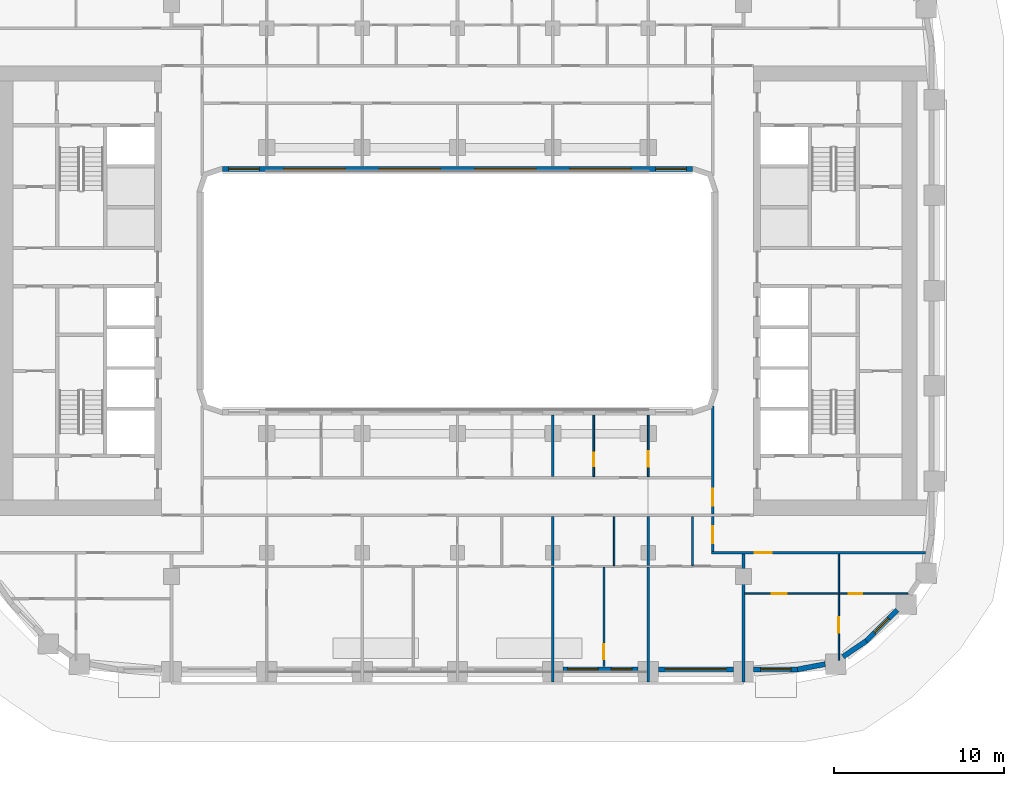
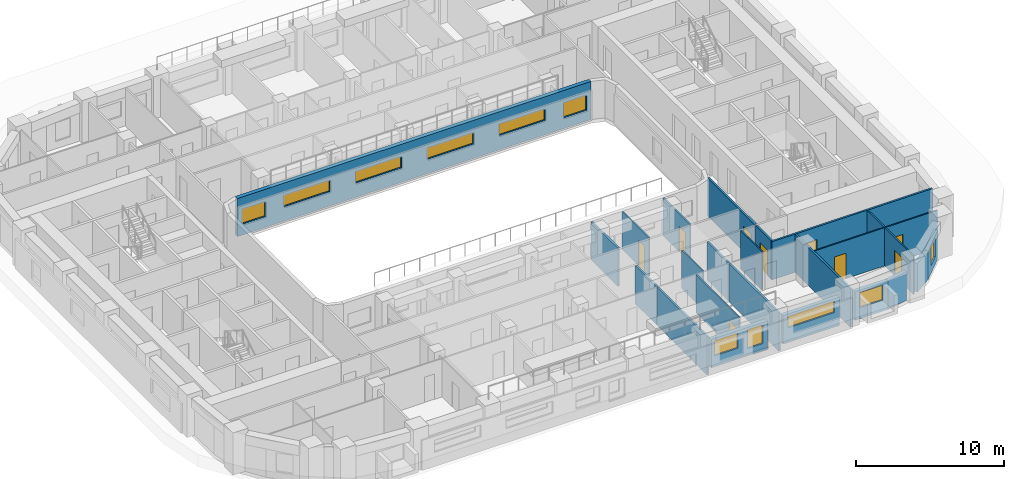
# One storey, part 6 of 18: 24 walls, 11 windows, 9 doors, 20 openings.
"""IFC4 building model written with IfcOpenShell, lengths in metres."""

from ifc_helpers import new_model, si_unit, direction, frame, frame_2d, origin, place, context, subcontext, project, spatial, rectangle, extrude, material, layer, layer_set, type_object, element, fill, save


model = new_model("IFC4")

# Units and contexts
model_context = context("Model", 3, precision=1e-05, world=origin(), true_north=direction((0.0, 1.0)))
body_context = subcontext(model_context, "Body", "Model", "MODEL_VIEW")
ifc_project = project(units=[si_unit("LENGTHUNIT", "METRE"), si_unit("AREAUNIT", "SQUARE_METRE"), si_unit("VOLUMEUNIT", "CUBIC_METRE"), si_unit("PLANEANGLEUNIT", "RADIAN"), si_unit("MASSUNIT", "GRAM", prefix="KILO")], contexts=[model_context])

# Site, building, storey
site_placement = place(None, origin())
site = spatial("IfcSite", under=ifc_project, at=site_placement, CompositionType="ELEMENT")
building_placement = place(site_placement, origin())
building = spatial("IfcBuilding", under=site, at=building_placement, Name="Kiln Ring Residences", CompositionType="ELEMENT")
storey_placement = place(building_placement, frame((0.0, 0.0, 121.800048828125)))
storey = spatial("IfcBuildingStorey", under=building, at=storey_placement, Name="L31", CompositionType="ELEMENT", Elevation=121.800048828125)

# Wall, openings, windows
ifc_material_1 = material(Name="Brick masonry, dark clay brick", Category="masonry")
ifc_layer_1 = layer(ifc_material_1, 0.300048828125)
ifc_layer_set_1 = layer_set([ifc_layer_1], Name="EW-300 BRICK WALL")
wall_type_1 = type_object("IfcWallType", Name="EW-300 BRICK WALL", PredefinedType="SOLIDWALL", material=ifc_layer_set_1)
wall_1_placement = place(storey_placement, frame((6.199951171875, -22.25, 0.0), z_axis=(0.0, 0.0, 1.0), x_axis=(1.0, 0.0, 0.0)))
wall_1 = element("IfcWall", 1, at=wall_1_placement, inside=storey, type_object=wall_type_1, Name="Facade wall L31 9", PredefinedType="SOLIDWALL", context=body_context, shape_type="SweptSolid", body=[
    extrude(rectangle(XDim=4.400146484375, YDim=0.300048828125, at=frame_2d((2.2001953125, 0.0))), origin(), (0.0, 0.0, 1.0), 2.349853515625),
])
opening_1_placement = place(wall_1_placement, frame((0.262451171875, 0.0, 0.89990234375)))
opening_1 = element("IfcOpeningElement", 2, at=opening_1_placement, cuts=wall_1, Name="Opening W2", PredefinedType="OPENING", context=body_context, shape_type="SweptSolid", body=[
    extrude(rectangle(XDim=1.800048828125, YDim=1.25, at=frame_2d((0.89990234375, 0.625))), frame((0.0, 0.159912109375, 0.0), z_axis=(0.0, -1.0, 0.0), x_axis=(1.0, 0.0, 0.0)), (0.0, 0.0, 1.0), 0.320068359375),
])
opening_2_placement = place(wall_1_placement, frame((2.83740234375, 0.0, 0.60009765625)))
opening_2 = element("IfcOpeningElement", 3, at=opening_2_placement, cuts=wall_1, Name="Opening W1", PredefinedType="OPENING", context=body_context, shape_type="SweptSolid", body=[
    extrude(rectangle(XDim=1.199951171875, YDim=1.550048828125, at=frame_2d((0.60009765625, 0.77490234375))), frame((0.0, 0.159912109375, 0.0), z_axis=(0.0, -1.0, 0.0), x_axis=(1.0, 0.0, 0.0)), (0.0, 0.0, 1.0), 0.320068359375),
])
ifc_material_2 = material(Name="Aluminium frame with double glazing", Category="aluminium")
window_type_1 = type_object("IfcWindowType", Name="WINDOW 1200 x 1550", PartitioningType="SINGLE_PANEL", PredefinedType="WINDOW", material=ifc_material_2)
window_1_placement = place(opening_2_placement, origin())
window_1 = element("IfcWindow", 4, at=window_1_placement, inside=storey, type_object=window_type_1, Name="Window L31 9", OverallHeight=1.550048828125, OverallWidth=1.199951171875, PartitioningType="SINGLE_PANEL", PredefinedType="WINDOW", context=body_context, shape_type="SweptSolid", body=[
    extrude(rectangle(XDim=1.199951171875, YDim=1.550048828125, at=frame_2d((0.60009765625, 0.77490234375))), frame((0.0, 0.030029296875, 0.0), z_axis=(0.0, -1.0, 0.0), x_axis=(1.0, 0.0, 0.0)), (0.0, 0.0, 1.0), 0.06005859375),
])
fill(opening_2, window_1)
ifc_material_3 = material(Name="Aluminium frame with double glazing", Category="aluminium")
window_type_2 = type_object("IfcWindowType", Name="WINDOW 1800 x 1250", PartitioningType="SINGLE_PANEL", PredefinedType="WINDOW", material=ifc_material_3)
window_2_placement = place(opening_1_placement, origin())
window_2 = element("IfcWindow", 5, at=window_2_placement, inside=storey, type_object=window_type_2, Name="Window L31 8", OverallHeight=1.25, OverallWidth=1.800048828125, PartitioningType="SINGLE_PANEL", PredefinedType="WINDOW", context=body_context, shape_type="SweptSolid", body=[
    extrude(rectangle(XDim=1.800048828125, YDim=1.25, at=frame_2d((0.89990234375, 0.625))), frame((0.0, 0.030029296875, 0.0), z_axis=(0.0, -1.0, 0.0), x_axis=(1.0, 0.0, 0.0)), (0.0, 0.0, 1.0), 0.06005859375),
])
fill(opening_1, window_2)

# Wall, opening, window
wall_2_placement = place(storey_placement, frame((11.800048828125, -22.25, 0.0), z_axis=(0.0, 0.0, 1.0), x_axis=(1.0, 0.0, 0.0)))
wall_2 = element("IfcWall", 6, at=wall_2_placement, inside=storey, type_object=wall_type_1, Name="Facade wall L31 10", PredefinedType="SOLIDWALL", context=body_context, shape_type="SweptSolid", body=[
    extrude(rectangle(XDim=4.39990234375, YDim=0.300048828125, at=frame_2d((2.199951171875, 0.0))), origin(), (0.0, 0.0, 1.0), 2.349853515625),
])
opening_3_placement = place(wall_2_placement, frame((0.39990234375, 0.0, 1.199951171875)))
opening_3 = element("IfcOpeningElement", 7, at=opening_3_placement, cuts=wall_2, Name="Opening W4", PredefinedType="OPENING", context=body_context, shape_type="SweptSolid", body=[
    extrude(rectangle(XDim=3.60009765625, YDim=0.949951171875, at=frame_2d((1.800048828125, 0.47509765625))), frame((0.0, 0.159912109375, 0.0), z_axis=(0.0, -1.0, 0.0), x_axis=(1.0, 0.0, 0.0)), (0.0, 0.0, 1.0), 0.320068359375),
])
ifc_material_4 = material(Name="Aluminium frame with double glazing", Category="aluminium")
window_type_3 = type_object("IfcWindowType", Name="WINDOW 3600 x 950", PartitioningType="SINGLE_PANEL", PredefinedType="WINDOW", material=ifc_material_4)
window_3_placement = place(opening_3_placement, origin())
window_3 = element("IfcWindow", 8, at=window_3_placement, inside=storey, type_object=window_type_3, Name="Window L31 10", OverallHeight=0.949951171875, OverallWidth=3.60009765625, PartitioningType="SINGLE_PANEL", PredefinedType="WINDOW", context=body_context, shape_type="SweptSolid", body=[
    extrude(rectangle(XDim=3.60009765625, YDim=0.949951171875, at=frame_2d((1.800048828125, 0.47509765625))), frame((0.0, 0.030029296875, 0.0), z_axis=(0.0, -1.0, 0.0), x_axis=(1.0, 0.0, 0.0)), (0.0, 0.0, 1.0), 0.06005859375),
])
fill(opening_3, window_3)

wall_3_placement = place(storey_placement, frame((17.39990234375, -22.25, 0.0), z_axis=(0.0, 0.0, 1.0), x_axis=(1.0, 0.0, 0.0)))
wall_3 = element("IfcWall", 9, at=wall_3_placement, inside=storey, type_object=wall_type_1, Name="Facade wall L31 11", PredefinedType="SOLIDWALL", context=body_context, shape_type="SweptSolid", body=[
    extrude(rectangle(XDim=2.60009765625, YDim=0.300048828125, at=frame_2d((1.300048828125, 0.0))), origin(), (0.0, 0.0, 1.0), 2.349853515625),
])
opening_4_placement = place(wall_3_placement, frame((0.39990234375, 0.0, 0.89990234375)))
opening_4 = element("IfcOpeningElement", 10, at=opening_4_placement, cuts=wall_3, Name="Opening W2", PredefinedType="OPENING", context=body_context, shape_type="SweptSolid", body=[
    extrude(rectangle(XDim=1.800048828125, YDim=1.25, at=frame_2d((0.89990234375, 0.625))), frame((0.0, 0.159912109375, 0.0), z_axis=(0.0, -1.0, 0.0), x_axis=(1.0, 0.0, 0.0)), (0.0, 0.0, 1.0), 0.320068359375),
])
window_4_placement = place(opening_4_placement, origin())
window_4 = element("IfcWindow", 11, at=window_4_placement, inside=storey, type_object=window_type_2, Name="Window L31 11", OverallHeight=1.25, OverallWidth=1.800048828125, PartitioningType="SINGLE_PANEL", PredefinedType="WINDOW", context=body_context, shape_type="SweptSolid", body=[
    extrude(rectangle(XDim=1.800048828125, YDim=1.25, at=frame_2d((0.89990234375, 0.625))), frame((0.0, 0.030029296875, 0.0), z_axis=(0.0, -1.0, 0.0), x_axis=(1.0, 0.0, 0.0)), (0.0, 0.0, 1.0), 0.06005859375),
])
fill(opening_4, window_4)

# Walls
for number, where, z_axis, x_axis, name in (
    (12, (19.971923828125, -22.252685546875, 0.0), (0.0, 0.0, 1.0), (0.98228820662, 0.187376303559, 0.0), "Facade wall L31 12"),
    (13, (22.64306640625, -21.509765625, 0.0), (0.0, 0.0, 1.0), (0.827049873329, 0.562128550268, 0.0), "Facade wall L31 13"),
):
    element("IfcWall", number, at=place(storey_placement, frame(where, z_axis=z_axis, x_axis=x_axis)), inside=storey, type_object=wall_type_1, Name=name, PredefinedType="SOLIDWALL", context=body_context, shape_type="SweptSolid", body=[
        extrude(rectangle(XDim=1.656005859375, YDim=0.300048828125, at=frame_2d((0.828125, 0.0))), origin(), (0.0, 0.0, 1.0), 2.349853515625),
    ])

# Wall, opening, window
wall_4_placement = place(storey_placement, frame((23.990966796875, -20.596923828125, 0.0), z_axis=(0.0, 0.0, 1.0), x_axis=(0.707106781187, 0.707106781187, 0.0)))
wall_4 = element("IfcWall", 14, at=wall_4_placement, inside=storey, type_object=wall_type_1, Name="Facade wall L31 14", PredefinedType="SOLIDWALL", context=body_context, shape_type="SweptSolid", body=[
    extrude(rectangle(XDim=2.60009765625, YDim=0.300048828125, at=frame_2d((1.300048828125, 0.0))), origin(), (0.0, 0.0, 1.0), 2.349853515625),
])
opening_5_placement = place(wall_4_placement, frame((0.699951171875, 0.0, 0.60009765625)))
opening_5 = element("IfcOpeningElement", 15, at=opening_5_placement, cuts=wall_4, Name="Opening W1", PredefinedType="OPENING", context=body_context, shape_type="SweptSolid", body=[
    extrude(rectangle(XDim=1.199951171875, YDim=1.550048828125, at=frame_2d((0.60009765625, 0.77490234375))), frame((0.0, 0.159912109375, 0.0), z_axis=(0.0, -1.0, 0.0), x_axis=(1.0, 0.0, 0.0)), (0.0, 0.0, 1.0), 0.320068359375),
])
window_5_placement = place(opening_5_placement, origin())
window_5 = element("IfcWindow", 16, at=window_5_placement, inside=storey, type_object=window_type_1, Name="Window L31 12", OverallHeight=1.550048828125, OverallWidth=1.199951171875, PartitioningType="SINGLE_PANEL", PredefinedType="WINDOW", context=body_context, shape_type="SweptSolid", body=[
    extrude(rectangle(XDim=1.199951171875, YDim=1.550048828125, at=frame_2d((0.60009765625, 0.77490234375))), frame((0.0, 0.030029296875, 0.0), z_axis=(0.0, -1.0, 0.0), x_axis=(1.0, 0.0, 0.0)), (0.0, 0.0, 1.0), 0.06005859375),
])
fill(opening_5, window_5)

# Wall, openings, windows
wall_5_placement = place(storey_placement, frame((-13.800048828125, 7.14990234375, 0.0), z_axis=(0.0, 0.0, 1.0), x_axis=(1.0, 0.0, 0.0)))
wall_5 = element("IfcWall", 17, at=wall_5_placement, inside=storey, type_object=wall_type_1, Name="Facade wall L31 50", PredefinedType="SOLIDWALL", context=body_context, shape_type="SweptSolid", body=[
    extrude(rectangle(XDim=27.60009765625, YDim=0.300048828125, at=frame_2d((13.800048828125, 0.0))), origin(), (0.0, 0.0, 1.0), 3.14990234375),
])
opening_6_placement = place(wall_5_placement, frame((0.362548828125, 0.0, 0.89990234375)))
opening_6 = element("IfcOpeningElement", 18, at=opening_6_placement, cuts=wall_5, Name="Opening W2", PredefinedType="OPENING", context=body_context, shape_type="SweptSolid", body=[
    extrude(rectangle(XDim=1.800048828125, YDim=1.25, at=frame_2d((0.89990234375, 0.625))), frame((0.0, 0.159912109375, 0.0), z_axis=(0.0, -1.0, 0.0), x_axis=(1.0, 0.0, 0.0)), (0.0, 0.0, 1.0), 0.320068359375),
])
opening_7_placement = place(wall_5_placement, frame((3.60009765625, 0.0, 1.199951171875)))
opening_7 = element("IfcOpeningElement", 19, at=opening_7_placement, cuts=wall_5, Name="Opening W4", PredefinedType="OPENING", context=body_context, shape_type="SweptSolid", body=[
    extrude(rectangle(XDim=3.60009765625, YDim=0.949951171875, at=frame_2d((1.800048828125, 0.47509765625))), frame((0.0, 0.159912109375, 0.0), z_axis=(0.0, -1.0, 0.0), x_axis=(1.0, 0.0, 0.0)), (0.0, 0.0, 1.0), 0.320068359375),
])
opening_8_placement = place(wall_5_placement, frame((9.199951171875, 0.0, 1.199951171875)))
opening_8 = element("IfcOpeningElement", 20, at=opening_8_placement, cuts=wall_5, Name="Opening W4", PredefinedType="OPENING", context=body_context, shape_type="SweptSolid", body=[
    extrude(rectangle(XDim=3.60009765625, YDim=0.949951171875, at=frame_2d((1.800048828125, 0.47509765625))), frame((0.0, 0.159912109375, 0.0), z_axis=(0.0, -1.0, 0.0), x_axis=(1.0, 0.0, 0.0)), (0.0, 0.0, 1.0), 0.320068359375),
])
opening_9_placement = place(wall_5_placement, frame((14.800048828125, 0.0, 1.199951171875)))
opening_9 = element("IfcOpeningElement", 21, at=opening_9_placement, cuts=wall_5, Name="Opening W4", PredefinedType="OPENING", context=body_context, shape_type="SweptSolid", body=[
    extrude(rectangle(XDim=3.60009765625, YDim=0.949951171875, at=frame_2d((1.800048828125, 0.47509765625))), frame((0.0, 0.159912109375, 0.0), z_axis=(0.0, -1.0, 0.0), x_axis=(1.0, 0.0, 0.0)), (0.0, 0.0, 1.0), 0.320068359375),
])
opening_10_placement = place(wall_5_placement, frame((20.39990234375, 0.0, 1.199951171875)))
opening_10 = element("IfcOpeningElement", 22, at=opening_10_placement, cuts=wall_5, Name="Opening W4", PredefinedType="OPENING", context=body_context, shape_type="SweptSolid", body=[
    extrude(rectangle(XDim=3.60009765625, YDim=0.949951171875, at=frame_2d((1.800048828125, 0.47509765625))), frame((0.0, 0.159912109375, 0.0), z_axis=(0.0, -1.0, 0.0), x_axis=(1.0, 0.0, 0.0)), (0.0, 0.0, 1.0), 0.320068359375),
])
opening_11_placement = place(wall_5_placement, frame((25.4375, 0.0, 0.89990234375)))
opening_11 = element("IfcOpeningElement", 23, at=opening_11_placement, cuts=wall_5, Name="Opening W2", PredefinedType="OPENING", context=body_context, shape_type="SweptSolid", body=[
    extrude(rectangle(XDim=1.800048828125, YDim=1.25, at=frame_2d((0.89990234375, 0.625))), frame((0.0, 0.159912109375, 0.0), z_axis=(0.0, -1.0, 0.0), x_axis=(1.0, 0.0, 0.0)), (0.0, 0.0, 1.0), 0.320068359375),
])
window_6_placement = place(opening_6_placement, origin())
window_6 = element("IfcWindow", 24, at=window_6_placement, inside=storey, type_object=window_type_2, Name="Window L31 26", OverallHeight=1.25, OverallWidth=1.800048828125, PartitioningType="SINGLE_PANEL", PredefinedType="WINDOW", context=body_context, shape_type="SweptSolid", body=[
    extrude(rectangle(XDim=1.800048828125, YDim=1.25, at=frame_2d((0.89990234375, 0.625))), frame((0.0, 0.030029296875, 0.0), z_axis=(0.0, -1.0, 0.0), x_axis=(1.0, 0.0, 0.0)), (0.0, 0.0, 1.0), 0.06005859375),
])
fill(opening_6, window_6)
window_7_placement = place(opening_11_placement, origin())
window_7 = element("IfcWindow", 25, at=window_7_placement, inside=storey, type_object=window_type_2, Name="Window L31 31", OverallHeight=1.25, OverallWidth=1.800048828125, PartitioningType="SINGLE_PANEL", PredefinedType="WINDOW", context=body_context, shape_type="SweptSolid", body=[
    extrude(rectangle(XDim=1.800048828125, YDim=1.25, at=frame_2d((0.89990234375, 0.625))), frame((0.0, 0.030029296875, 0.0), z_axis=(0.0, -1.0, 0.0), x_axis=(1.0, 0.0, 0.0)), (0.0, 0.0, 1.0), 0.06005859375),
])
fill(opening_11, window_7)
window_8_placement = place(opening_7_placement, origin())
window_8 = element("IfcWindow", 26, at=window_8_placement, inside=storey, type_object=window_type_3, Name="Window L31 27", OverallHeight=0.949951171875, OverallWidth=3.60009765625, PartitioningType="SINGLE_PANEL", PredefinedType="WINDOW", context=body_context, shape_type="SweptSolid", body=[
    extrude(rectangle(XDim=3.60009765625, YDim=0.949951171875, at=frame_2d((1.800048828125, 0.47509765625))), frame((0.0, 0.030029296875, 0.0), z_axis=(0.0, -1.0, 0.0), x_axis=(1.0, 0.0, 0.0)), (0.0, 0.0, 1.0), 0.06005859375),
])
fill(opening_7, window_8)
window_9_placement = place(opening_8_placement, origin())
window_9 = element("IfcWindow", 27, at=window_9_placement, inside=storey, type_object=window_type_3, Name="Window L31 28", OverallHeight=0.949951171875, OverallWidth=3.60009765625, PartitioningType="SINGLE_PANEL", PredefinedType="WINDOW", context=body_context, shape_type="SweptSolid", body=[
    extrude(rectangle(XDim=3.60009765625, YDim=0.949951171875, at=frame_2d((1.800048828125, 0.47509765625))), frame((0.0, 0.030029296875, 0.0), z_axis=(0.0, -1.0, 0.0), x_axis=(1.0, 0.0, 0.0)), (0.0, 0.0, 1.0), 0.06005859375),
])
fill(opening_8, window_9)
window_10_placement = place(opening_9_placement, origin())
window_10 = element("IfcWindow", 28, at=window_10_placement, inside=storey, type_object=window_type_3, Name="Window L31 29", OverallHeight=0.949951171875, OverallWidth=3.60009765625, PartitioningType="SINGLE_PANEL", PredefinedType="WINDOW", context=body_context, shape_type="SweptSolid", body=[
    extrude(rectangle(XDim=3.60009765625, YDim=0.949951171875, at=frame_2d((1.800048828125, 0.47509765625))), frame((0.0, 0.030029296875, 0.0), z_axis=(0.0, -1.0, 0.0), x_axis=(1.0, 0.0, 0.0)), (0.0, 0.0, 1.0), 0.06005859375),
])
fill(opening_9, window_10)
window_11_placement = place(opening_10_placement, origin())
window_11 = element("IfcWindow", 29, at=window_11_placement, inside=storey, type_object=window_type_3, Name="Window L31 30", OverallHeight=0.949951171875, OverallWidth=3.60009765625, PartitioningType="SINGLE_PANEL", PredefinedType="WINDOW", context=body_context, shape_type="SweptSolid", body=[
    extrude(rectangle(XDim=3.60009765625, YDim=0.949951171875, at=frame_2d((1.800048828125, 0.47509765625))), frame((0.0, 0.030029296875, 0.0), z_axis=(0.0, -1.0, 0.0), x_axis=(1.0, 0.0, 0.0)), (0.0, 0.0, 1.0), 0.06005859375),
])
fill(opening_10, window_11)

# Wall, openings, doors
ifc_material_5 = material(Name="Gypsum board on steel studs", Category="steel")
ifc_layer_2 = layer(ifc_material_5, 0.10009765625)
ifc_layer_set_2 = layer_set([ifc_layer_2], Name="PARTITION-100")
wall_type_2 = type_object("IfcWallType", Name="PARTITION-100", PredefinedType="PARTITIONING", material=ifc_layer_set_2)
wall_6_placement = place(storey_placement, frame((16.875, -17.800048828125, 0.0), z_axis=(0.0, 0.0, 1.0), x_axis=(1.0, 0.0, 0.0)))
wall_6 = element("IfcWall", 30, at=wall_6_placement, inside=storey, type_object=wall_type_2, Name="Partition 001", PredefinedType="PARTITIONING", context=body_context, shape_type="SweptSolid", body=[
    extrude(rectangle(XDim=9.590087890625, YDim=0.10009765625, at=frame_2d((4.794921875, 0.0))), origin(), (0.0, 0.0, 1.0), 3.14990234375),
])
opening_12_placement = place(wall_6_placement, frame((6.093017578125, 0.0, 0.0)))
opening_12 = element("IfcOpeningElement", 31, at=opening_12_placement, cuts=wall_6, Name="Opening L31-D070", PredefinedType="OPENING", context=body_context, shape_type="SweptSolid", body=[
    extrude(rectangle(XDim=0.800048828125, YDim=2.10009765625, at=frame_2d((0.39990234375, 1.050048828125))), frame((0.0, 0.06005859375, 0.0), z_axis=(0.0, -1.0, 0.0), x_axis=(1.0, 0.0, 0.0)), (0.0, 0.0, 1.0), 0.1201171875),
])
opening_13_placement = place(wall_6_placement, frame((1.574951171875, 0.0, 0.0)))
opening_13 = element("IfcOpeningElement", 32, at=opening_13_placement, cuts=wall_6, Name="Opening L31-D071", PredefinedType="OPENING", context=body_context, shape_type="SweptSolid", body=[
    extrude(rectangle(XDim=0.89990234375, YDim=2.10009765625, at=frame_2d((0.449951171875, 1.050048828125))), frame((0.0, 0.06005859375, 0.0), z_axis=(0.0, -1.0, 0.0), x_axis=(1.0, 0.0, 0.0)), (0.0, 0.0, 1.0), 0.1201171875),
])
ifc_material_6 = material(Name="Timber door leaf", Category="wood")
door_type_1 = type_object("IfcDoorType", Name="FLAT-DOOR-800-PL", OperationType="SINGLE_SWING_LEFT", PredefinedType="DOOR", material=ifc_material_6)
door_1_placement = place(opening_12_placement, origin())
door_1 = element("IfcDoor", 33, at=door_1_placement, inside=storey, type_object=door_type_1, Name="Door L31-D070", OperationType="SINGLE_SWING_RIGHT", OverallHeight=2.10009765625, OverallWidth=0.800048828125, PredefinedType="DOOR", context=body_context, shape_type="SweptSolid", body=[
    extrude(rectangle(XDim=0.800048828125, YDim=2.10009765625, at=frame_2d((0.39990234375, 1.050048828125))), frame((0.0, 0.02490234375, 0.0), z_axis=(0.0, -1.0, 0.0), x_axis=(1.0, 0.0, 0.0)), (0.0, 0.0, 1.0), 0.050048828125),
])
fill(opening_12, door_1)
ifc_material_7 = material(Name="Timber door leaf", Category="wood")
door_type_2 = type_object("IfcDoorType", Name="FLAT-DOOR-900-PL", OperationType="SINGLE_SWING_LEFT", PredefinedType="DOOR", material=ifc_material_7)
door_2_placement = place(opening_13_placement, origin())
door_2 = element("IfcDoor", 34, at=door_2_placement, inside=storey, type_object=door_type_2, Name="Door L31-D071", OperationType="SINGLE_SWING_LEFT", OverallHeight=2.10009765625, OverallWidth=0.89990234375, PredefinedType="DOOR", context=body_context, shape_type="SweptSolid", body=[
    extrude(rectangle(XDim=0.89990234375, YDim=2.10009765625, at=frame_2d((0.449951171875, 1.050048828125))), frame((0.0, 0.02490234375, 0.0), z_axis=(0.0, -1.0, 0.0), x_axis=(1.0, 0.0, 0.0)), (0.0, 0.0, 1.0), 0.050048828125),
])
fill(opening_13, door_2)

# Wall, opening, door
wall_7_placement = place(storey_placement, frame((8.0, -10.925048828125, 0.0), z_axis=(0.0, 0.0, 1.0), x_axis=(0.0, 1.0, 0.0)))
wall_7 = element("IfcWall", 35, at=wall_7_placement, inside=storey, type_object=wall_type_2, Name="Partition 057", PredefinedType="PARTITIONING", context=body_context, shape_type="SweptSolid", body=[
    extrude(rectangle(XDim=3.60498046875, YDim=0.10009765625, at=frame_2d((1.802490234375, 0.0))), origin(), (0.0, 0.0, 1.0), 3.14990234375),
])
opening_14_placement = place(wall_7_placement, frame((0.60498046875, 0.0, 0.0)))
opening_14 = element("IfcOpeningElement", 36, at=opening_14_placement, cuts=wall_7, Name="Opening L31-D050", PredefinedType="OPENING", context=body_context, shape_type="SweptSolid", body=[
    extrude(rectangle(XDim=0.800048828125, YDim=2.10009765625, at=frame_2d((0.39990234375, 1.050048828125))), frame((0.0, 0.06005859375, 0.0), z_axis=(0.0, -1.0, 0.0), x_axis=(1.0, 0.0, 0.0)), (0.0, 0.0, 1.0), 0.1201171875),
])
door_3_placement = place(opening_14_placement, origin())
door_3 = element("IfcDoor", 37, at=door_3_placement, inside=storey, type_object=door_type_1, Name="Door L31-D050", OperationType="SINGLE_SWING_RIGHT", OverallHeight=2.10009765625, OverallWidth=0.800048828125, PredefinedType="DOOR", context=body_context, shape_type="SweptSolid", body=[
    extrude(rectangle(XDim=0.800048828125, YDim=2.10009765625, at=frame_2d((0.39990234375, 1.050048828125))), frame((0.0, 0.02490234375, 0.0), z_axis=(0.0, -1.0, 0.0), x_axis=(1.0, 0.0, 0.0)), (0.0, 0.0, 1.0), 0.050048828125),
])
fill(opening_14, door_3)

wall_8_placement = place(storey_placement, frame((8.60009765625, -22.080078125, 0.0), z_axis=(0.0, 0.0, 1.0), x_axis=(0.0, 1.0, 0.0)))
wall_8 = element("IfcWall", 38, at=wall_8_placement, inside=storey, type_object=wall_type_2, Name="Partition 059", PredefinedType="PARTITIONING", context=body_context, shape_type="SweptSolid", body=[
    extrude(rectangle(XDim=5.830078125, YDim=0.10009765625, at=frame_2d((2.9150390625, 0.0))), origin(), (0.0, 0.0, 1.0), 3.14990234375),
])
opening_15_placement = place(wall_8_placement, frame((0.419921875, 0.0, 0.0)))
opening_15 = element("IfcOpeningElement", 39, at=opening_15_placement, cuts=wall_8, Name="Opening L31-D065", PredefinedType="OPENING", context=body_context, shape_type="SweptSolid", body=[
    extrude(rectangle(XDim=0.89990234375, YDim=2.10009765625, at=frame_2d((0.449951171875, 1.050048828125))), frame((0.0, 0.06005859375, 0.0), z_axis=(0.0, -1.0, 0.0), x_axis=(1.0, 0.0, 0.0)), (0.0, 0.0, 1.0), 0.1201171875),
])
door_4_placement = place(opening_15_placement, origin())
door_4 = element("IfcDoor", 40, at=door_4_placement, inside=storey, type_object=door_type_2, Name="Door L31-D065", OperationType="SINGLE_SWING_LEFT", OverallHeight=2.10009765625, OverallWidth=0.89990234375, PredefinedType="DOOR", context=body_context, shape_type="SweptSolid", body=[
    extrude(rectangle(XDim=0.89990234375, YDim=2.10009765625, at=frame_2d((0.449951171875, 1.050048828125))), frame((0.0, 0.02490234375, 0.0), z_axis=(0.0, -1.0, 0.0), x_axis=(1.0, 0.0, 0.0)), (0.0, 0.0, 1.0), 0.050048828125),
])
fill(opening_15, door_4)

# Wall
wall_9_placement = place(storey_placement, frame((9.199951171875, -16.14990234375, 0.0), z_axis=(0.0, 0.0, 1.0), x_axis=(0.0, 1.0, 0.0)))
element("IfcWall", 41, at=wall_9_placement, inside=storey, type_object=wall_type_2, Name="Partition 061", PredefinedType="PARTITIONING", context=body_context, shape_type="SweptSolid", body=[
    extrude(rectangle(XDim=2.875, YDim=0.10009765625, at=frame_2d((1.4375, 0.0))), origin(), (0.0, 0.0, 1.0), 3.14990234375),
])

# Wall, opening, door
wall_10_placement = place(storey_placement, frame((11.199951171875, -10.925048828125, 0.0), z_axis=(0.0, 0.0, 1.0), x_axis=(0.0, 1.0, 0.0)))
wall_10 = element("IfcWall", 42, at=wall_10_placement, inside=storey, type_object=wall_type_2, Name="Partition 062", PredefinedType="PARTITIONING", context=body_context, shape_type="SweptSolid", body=[
    extrude(rectangle(XDim=3.60498046875, YDim=0.10009765625, at=frame_2d((1.802490234375, 0.0))), origin(), (0.0, 0.0, 1.0), 3.14990234375),
])
opening_16_placement = place(wall_10_placement, frame((0.575927734375, 0.0, 0.0)))
opening_16 = element("IfcOpeningElement", 43, at=opening_16_placement, cuts=wall_10, Name="Opening L31-D051", PredefinedType="OPENING", context=body_context, shape_type="SweptSolid", body=[
    extrude(rectangle(XDim=0.89990234375, YDim=2.10009765625, at=frame_2d((0.449951171875, 1.050048828125))), frame((0.0, 0.06005859375, 0.0), z_axis=(0.0, -1.0, 0.0), x_axis=(1.0, 0.0, 0.0)), (0.0, 0.0, 1.0), 0.1201171875),
])
door_5_placement = place(opening_16_placement, origin())
door_5 = element("IfcDoor", 44, at=door_5_placement, inside=storey, type_object=door_type_2, Name="Door L31-D051", OperationType="SINGLE_SWING_LEFT", OverallHeight=2.10009765625, OverallWidth=0.89990234375, PredefinedType="DOOR", context=body_context, shape_type="SweptSolid", body=[
    extrude(rectangle(XDim=0.89990234375, YDim=2.10009765625, at=frame_2d((0.449951171875, 1.050048828125))), frame((0.0, 0.02490234375, 0.0), z_axis=(0.0, -1.0, 0.0), x_axis=(1.0, 0.0, 0.0)), (0.0, 0.0, 1.0), 0.050048828125),
])
fill(opening_16, door_5)

# Wall
wall_11_placement = place(storey_placement, frame((13.800048828125, -16.14990234375, 0.0), z_axis=(0.0, 0.0, 1.0), x_axis=(0.0, 1.0, 0.0)))
element("IfcWall", 45, at=wall_11_placement, inside=storey, type_object=wall_type_2, Name="Partition 069", PredefinedType="PARTITIONING", context=body_context, shape_type="SweptSolid", body=[
    extrude(rectangle(XDim=2.875, YDim=0.10009765625, at=frame_2d((1.4375, 0.0))), origin(), (0.0, 0.0, 1.0), 3.14990234375),
])

# Wall, opening, door
wall_12_placement = place(storey_placement, frame((22.39990234375, -21.719970703125, 0.0), z_axis=(0.0, 0.0, 1.0), x_axis=(0.0, 1.0, 0.0)))
wall_12 = element("IfcWall", 46, at=wall_12_placement, inside=storey, type_object=wall_type_2, Name="Partition 076", PredefinedType="PARTITIONING", context=body_context, shape_type="SweptSolid", body=[
    extrude(rectangle(XDim=3.869873046875, YDim=0.10009765625, at=frame_2d((1.93505859375, 0.0))), origin(), (0.0, 0.0, 1.0), 3.14990234375),
])
opening_17_placement = place(wall_12_placement, frame((1.6220703125, 0.0, 0.0)))
opening_17 = element("IfcOpeningElement", 47, at=opening_17_placement, cuts=wall_12, Name="Opening L31-D072", PredefinedType="OPENING", context=body_context, shape_type="SweptSolid", body=[
    extrude(rectangle(XDim=0.89990234375, YDim=2.10009765625, at=frame_2d((0.449951171875, 1.050048828125))), frame((0.0, 0.06005859375, 0.0), z_axis=(0.0, -1.0, 0.0), x_axis=(1.0, 0.0, 0.0)), (0.0, 0.0, 1.0), 0.1201171875),
])
door_6_placement = place(opening_17_placement, origin())
door_6 = element("IfcDoor", 48, at=door_6_placement, inside=storey, type_object=door_type_2, Name="Door L31-D072", OperationType="SINGLE_SWING_RIGHT", OverallHeight=2.10009765625, OverallWidth=0.89990234375, PredefinedType="DOOR", context=body_context, shape_type="SweptSolid", body=[
    extrude(rectangle(XDim=0.89990234375, YDim=2.10009765625, at=frame_2d((0.449951171875, 1.050048828125))), frame((0.0, 0.02490234375, 0.0), z_axis=(0.0, -1.0, 0.0), x_axis=(1.0, 0.0, 0.0)), (0.0, 0.0, 1.0), 0.050048828125),
])
fill(opening_17, door_6)

# Wall
wall_13_placement = place(storey_placement, frame((22.39990234375, -17.75, 0.0), z_axis=(0.0, 0.0, 1.0), x_axis=(0.0, 1.0, 0.0)))
element("IfcWall", 49, at=wall_13_placement, inside=storey, type_object=wall_type_2, Name="Partition 077", PredefinedType="PARTITIONING", context=body_context, shape_type="SweptSolid", body=[
    extrude(rectangle(XDim=2.27490234375, YDim=0.10009765625, at=frame_2d((1.137451171875, 0.0))), origin(), (0.0, 0.0, 1.0), 3.14990234375),
])

# Wall, opening, door
ifc_material_8 = material(Name="Brick masonry partition", Category="masonry")
ifc_layer_3 = layer(ifc_material_8, 0.14990234375)
ifc_layer_set_3 = layer_set([ifc_layer_3], Name="PARTITION-150-ei60")
wall_type_3 = type_object("IfcWallType", Name="PARTITION-150-ei60", PredefinedType="PARTITIONING", material=ifc_layer_set_3)
wall_14_placement = place(storey_placement, frame((14.925048828125, -15.39990234375, 0.0), z_axis=(0.0, 0.0, 1.0), x_axis=(1.0, 0.0, 0.0)))
wall_14 = element("IfcWall", 50, at=wall_14_placement, inside=storey, type_object=wall_type_3, Name="Partition 004", PredefinedType="PARTITIONING", context=body_context, shape_type="SweptSolid", body=[
    extrude(rectangle(XDim=12.558837890625, YDim=0.14990234375, at=frame_2d((6.279296875, 0.0))), origin(), (0.0, 0.0, 1.0), 3.14990234375),
])
opening_18_placement = place(wall_14_placement, frame((2.52490234375, 0.0, 0.0)))
opening_18 = element("IfcOpeningElement", 51, at=opening_18_placement, cuts=wall_14, Name="Opening L31-D069", PredefinedType="OPENING", context=body_context, shape_type="SweptSolid", body=[
    extrude(rectangle(XDim=1.0, YDim=2.10009765625, at=frame_2d((0.5, 1.050048828125))), frame((0.0, 0.0849609375, 0.0), z_axis=(0.0, -1.0, 0.0), x_axis=(1.0, 0.0, 0.0)), (0.0, 0.0, 1.0), 0.169921875),
])
ifc_material_9 = material(Name="Steel faced fire door leaf", Category="steel")
door_type_3 = type_object("IfcDoorType", Name="FLAT-DOOR-1000-FR", OperationType="SINGLE_SWING_LEFT", PredefinedType="DOOR", material=ifc_material_9)
door_7_placement = place(opening_18_placement, origin())
door_7 = element("IfcDoor", 52, at=door_7_placement, inside=storey, type_object=door_type_3, Name="Door L31-D069", OperationType="SINGLE_SWING_LEFT", OverallHeight=2.10009765625, OverallWidth=1.0, PredefinedType="DOOR", context=body_context, shape_type="SweptSolid", body=[
    extrude(rectangle(XDim=1.0, YDim=2.10009765625, at=frame_2d((0.5, 1.050048828125))), frame((0.0, 0.02490234375, 0.0), z_axis=(0.0, -1.0, 0.0), x_axis=(1.0, 0.0, 0.0)), (0.0, 0.0, 1.0), 0.050048828125),
])
fill(opening_18, door_7)

# Walls
wall_15_placement = place(storey_placement, frame((5.60009765625, -22.97998046875, 0.0), z_axis=(0.0, 0.0, 1.0), x_axis=(0.0, 1.0, 0.0)))
element("IfcWall", 53, at=wall_15_placement, inside=storey, type_object=wall_type_3, Name="Partition 052", PredefinedType="PARTITIONING", context=body_context, shape_type="SweptSolid", body=[
    extrude(rectangle(XDim=6.72998046875, YDim=0.14990234375, at=frame_2d((3.364990234375, 0.0))), origin(), (0.0, 0.0, 1.0), 3.14990234375),
])
wall_16_placement = place(storey_placement, frame((5.60009765625, -16.14990234375, 0.0), z_axis=(0.0, 0.0, 1.0), x_axis=(0.0, 1.0, 0.0)))
element("IfcWall", 54, at=wall_16_placement, inside=storey, type_object=wall_type_3, Name="Partition 053", PredefinedType="PARTITIONING", context=body_context, shape_type="SweptSolid", body=[
    extrude(rectangle(XDim=2.875, YDim=0.14990234375, at=frame_2d((1.4375, 0.0))), origin(), (0.0, 0.0, 1.0), 3.14990234375),
])
wall_17_placement = place(storey_placement, frame((5.60009765625, -10.925048828125, 0.0), z_axis=(0.0, 0.0, 1.0), x_axis=(0.0, 1.0, 0.0)))
element("IfcWall", 55, at=wall_17_placement, inside=storey, type_object=wall_type_3, Name="Partition 054", PredefinedType="PARTITIONING", context=body_context, shape_type="SweptSolid", body=[
    extrude(rectangle(XDim=3.60498046875, YDim=0.14990234375, at=frame_2d((1.802490234375, 0.0))), origin(), (0.0, 0.0, 1.0), 3.14990234375),
])
wall_18_placement = place(storey_placement, frame((11.199951171875, -22.97998046875, 0.0), z_axis=(0.0, 0.0, 1.0), x_axis=(0.0, 1.0, 0.0)))
element("IfcWall", 56, at=wall_18_placement, inside=storey, type_object=wall_type_3, Name="Partition 064", PredefinedType="PARTITIONING", context=body_context, shape_type="SweptSolid", body=[
    extrude(rectangle(XDim=6.72998046875, YDim=0.14990234375, at=frame_2d((3.364990234375, 0.0))), origin(), (0.0, 0.0, 1.0), 3.14990234375),
])
wall_19_placement = place(storey_placement, frame((11.199951171875, -16.14990234375, 0.0), z_axis=(0.0, 0.0, 1.0), x_axis=(0.0, 1.0, 0.0)))
element("IfcWall", 57, at=wall_19_placement, inside=storey, type_object=wall_type_3, Name="Partition 065", PredefinedType="PARTITIONING", context=body_context, shape_type="SweptSolid", body=[
    extrude(rectangle(XDim=2.875, YDim=0.14990234375, at=frame_2d((1.4375, 0.0))), origin(), (0.0, 0.0, 1.0), 3.14990234375),
])

# Wall, opening, door
wall_20_placement = place(storey_placement, frame((15.0, -15.324951171875, 0.0), z_axis=(0.0, 0.0, 1.0), x_axis=(0.0, 1.0, 0.0)))
wall_20 = element("IfcWall", 58, at=wall_20_placement, inside=storey, type_object=wall_type_3, Name="Partition 070", PredefinedType="PARTITIONING", context=body_context, shape_type="SweptSolid", body=[
    extrude(rectangle(XDim=2.050048828125, YDim=0.14990234375, at=frame_2d((1.02490234375, 0.0))), origin(), (0.0, 0.0, 1.0), 3.14990234375),
])
opening_19_placement = place(wall_20_placement, frame((0.47412109375, 0.0, 0.0)))
opening_19 = element("IfcOpeningElement", 59, at=opening_19_placement, cuts=wall_20, Name="Opening L31-D066", PredefinedType="OPENING", context=body_context, shape_type="SweptSolid", body=[
    extrude(rectangle(XDim=1.0, YDim=2.10009765625, at=frame_2d((0.5, 1.050048828125))), frame((0.0, 0.0849609375, 0.0), z_axis=(0.0, -1.0, 0.0), x_axis=(1.0, 0.0, 0.0)), (0.0, 0.0, 1.0), 0.169921875),
])
door_8_placement = place(opening_19_placement, origin())
door_8 = element("IfcDoor", 60, at=door_8_placement, inside=storey, type_object=door_type_3, Name="Door L31-D066", OperationType="SINGLE_SWING_RIGHT", OverallHeight=2.10009765625, OverallWidth=1.0, PredefinedType="DOOR", context=body_context, shape_type="SweptSolid", body=[
    extrude(rectangle(XDim=1.0, YDim=2.10009765625, at=frame_2d((0.5, 1.050048828125))), frame((0.0, 0.02490234375, 0.0), z_axis=(0.0, -1.0, 0.0), x_axis=(1.0, 0.0, 0.0)), (0.0, 0.0, 1.0), 0.050048828125),
])
fill(opening_19, door_8)

wall_21_placement = place(storey_placement, frame((15.0, -13.125, 0.0), z_axis=(0.0, 0.0, 1.0), x_axis=(0.0, 1.0, 0.0)))
wall_21 = element("IfcWall", 61, at=wall_21_placement, inside=storey, type_object=wall_type_3, Name="Partition 071", PredefinedType="PARTITIONING", context=body_context, shape_type="SweptSolid", body=[
    extrude(rectangle(XDim=6.356201171875, YDim=0.14990234375, at=frame_2d((3.17822265625, 0.0))), origin(), (0.0, 0.0, 1.0), 3.14990234375),
])
opening_20_placement = place(wall_21_placement, frame((0.49609375, 0.0, 0.0)))
opening_20 = element("IfcOpeningElement", 62, at=opening_20_placement, cuts=wall_21, Name="Opening L31-D006", PredefinedType="OPENING", context=body_context, shape_type="SweptSolid", body=[
    extrude(rectangle(XDim=1.0, YDim=2.10009765625, at=frame_2d((0.5, 1.050048828125))), frame((0.0, 0.0849609375, 0.0), z_axis=(0.0, -1.0, 0.0), x_axis=(1.0, 0.0, 0.0)), (0.0, 0.0, 1.0), 0.169921875),
])
door_9_placement = place(opening_20_placement, origin())
door_9 = element("IfcDoor", 63, at=door_9_placement, inside=storey, type_object=door_type_3, Name="Door L31-D006", OperationType="SINGLE_SWING_LEFT", OverallHeight=2.10009765625, OverallWidth=1.0, PredefinedType="DOOR", context=body_context, shape_type="SweptSolid", body=[
    extrude(rectangle(XDim=1.0, YDim=2.10009765625, at=frame_2d((0.5, 1.050048828125))), frame((0.0, 0.02490234375, 0.0), z_axis=(0.0, -1.0, 0.0), x_axis=(1.0, 0.0, 0.0)), (0.0, 0.0, 1.0), 0.050048828125),
])
fill(opening_20, door_9)

# Wall
wall_22_placement = place(storey_placement, frame((16.800048828125, -22.97998046875, 0.0), z_axis=(0.0, 0.0, 1.0), x_axis=(0.0, 1.0, 0.0)))
element("IfcWall", 64, at=wall_22_placement, inside=storey, type_object=wall_type_3, Name="Partition 074", PredefinedType="PARTITIONING", context=body_context, shape_type="SweptSolid", body=[
    extrude(rectangle(XDim=7.5048828125, YDim=0.14990234375, at=frame_2d((3.75244140625, 0.0))), origin(), (0.0, 0.0, 1.0), 3.14990234375),
])

save(model, "model.ifc")
